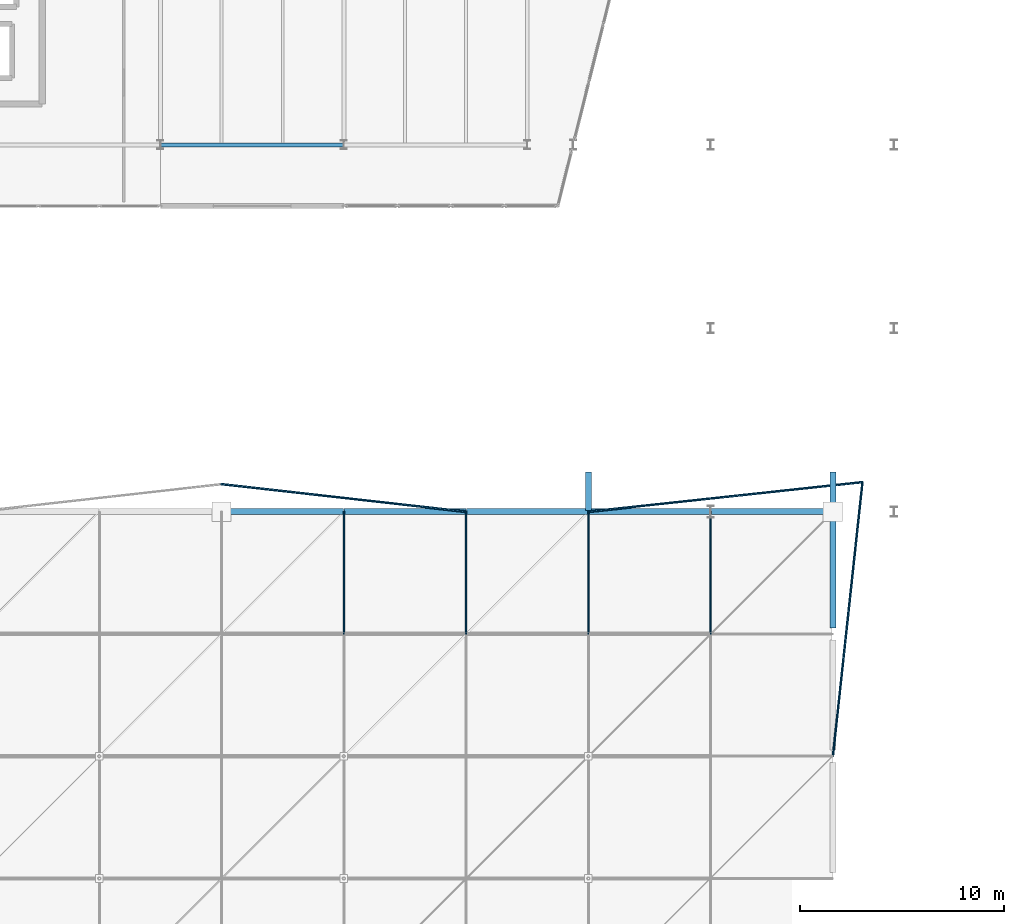
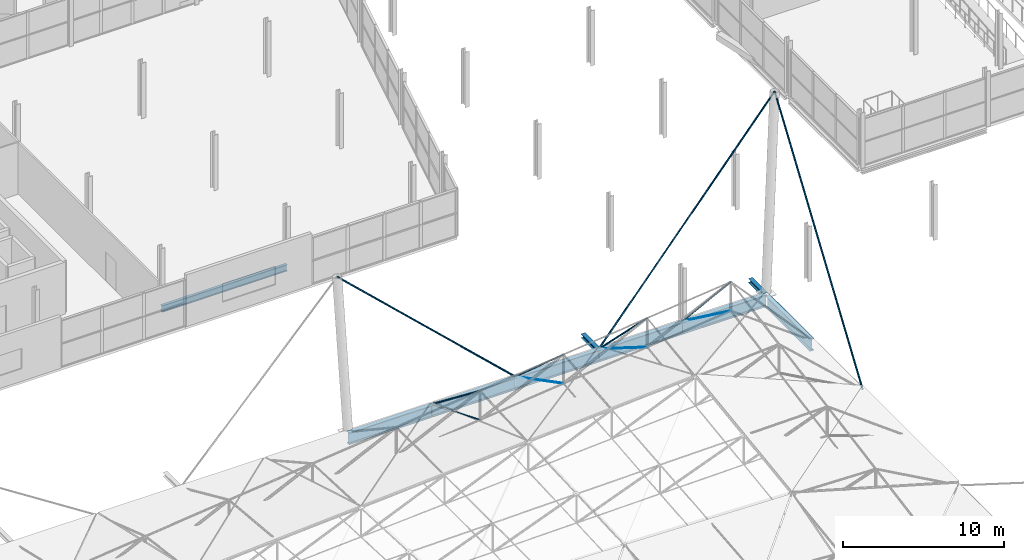
# One storey, part 47 of 132: 11 members, 9 beams.
"""IFC4 building model written with IfcOpenShell, lengths in metres."""

from ifc_helpers import new_model, si_unit, direction, frame, origin, origin_2d, place, context, subcontext, project, spatial, circle, i_section, extrude, material, material_profile, profile_set, type_object, element, save


model = new_model("IFC4")

# Units and contexts
model_context = context("Model", 3, precision=1e-05, world=origin(), true_north=direction((0.0, 1.0)))
body_context = subcontext(model_context, "Body", "Model", "MODEL_VIEW")
ifc_project = project(units=[si_unit("LENGTHUNIT", "METRE"), si_unit("AREAUNIT", "SQUARE_METRE"), si_unit("VOLUMEUNIT", "CUBIC_METRE"), si_unit("PLANEANGLEUNIT", "RADIAN"), si_unit("MASSUNIT", "GRAM", prefix="KILO")], contexts=[model_context])

# Site, building, storey
site_placement = place(None, origin())
site = spatial("IfcSite", under=ifc_project, at=site_placement, CompositionType="ELEMENT")
building_placement = place(site_placement, origin())
building = spatial("IfcBuilding", under=site, at=building_placement, Name="Deido Ridge Mobility Hub", CompositionType="ELEMENT")
storey_placement = place(building_placement, frame((0.0, 0.0, 8.39990234375)))
storey = spatial("IfcBuildingStorey", under=building, at=storey_placement, Name="L02", CompositionType="ELEMENT", Elevation=8.39990234375)

# Beams
ifc_material_1 = material(Name="Steel S355J2 EN 10025-2", Category="steel")
ifc_material_profile_1 = material_profile(ifc_material_1, i_section(OverallWidth=0.199951171875, OverallDepth=0.5, WebThickness=0.01025390625, FlangeThickness=0.01611328125, FilletRadius=0.02099609375, at=origin_2d()), Name="IPE 500")
ifc_profile_set_1 = profile_set([ifc_material_profile_1], Name="Steel S355J2 EN 10025-2")
beam_type_1 = type_object("IfcBeamType", Name="BM-IPE500", PredefinedType="BEAM", material=ifc_profile_set_1)
beam_1_placement = place(storey_placement, frame((27.007080078125, 54.0, -0.5048828125), z_axis=(1.0, 0.0, 0.0), x_axis=(0.0, 1.0, 0.0)))
element("IfcBeam", 1, at=beam_1_placement, inside=storey, type_object=beam_type_1, Name="Floor beam B3", PredefinedType="BEAM", context=body_context, shape_type="SweptSolid", body=[
    extrude(i_section(OverallWidth=0.199951171875, OverallDepth=0.5, WebThickness=0.01025390625, FlangeThickness=0.01611328125, FilletRadius=0.02099609375, at=origin_2d()), origin(), (0.0, 0.0, 1.0), 8.98583984375),
])
ifc_material_profile_2 = material_profile(ifc_material_1, i_section(OverallWidth=0.300048828125, OverallDepth=0.89990234375, WebThickness=0.0185546875, FlangeThickness=0.034912109375, FilletRadius=0.027099609375, at=origin_2d()), Name="HEB 900")
ifc_profile_set_2 = profile_set([ifc_material_profile_2], Name="Steel S355J2 EN 10025-2")
beam_type_2 = type_object("IfcBeamType", Name="BM-RING-HEB900", PredefinedType="USERDEFINED", material=ifc_profile_set_2)
beam_2_placement = place(storey_placement, frame((30.014892578125, 36.0, -0.449951171875), z_axis=(1.0, 0.0, 0.0), x_axis=(0.0, 1.0, 0.0)))
element("IfcBeam", 2, at=beam_2_placement, inside=storey, type_object=beam_type_2, Name="Compression ring beam RB1", ObjectType="RING BEAM", PredefinedType="USERDEFINED", context=body_context, shape_type="SweptSolid", body=[
    extrude(i_section(OverallWidth=0.300048828125, OverallDepth=0.89990234375, WebThickness=0.0185546875, FlangeThickness=0.034912109375, FilletRadius=0.027099609375, at=origin_2d()), origin(), (0.0, 0.0, 1.0), 5.97705078125),
])
for number, where, z_axis, x_axis, name in (
    (3, (36.008056640625, 36.0, -0.449951171875), (1.0, 0.0, 0.0), (0.0, 1.0, 0.0), "Compression ring beam RB1"),
    (4, (42.008056640625, 36.0, -0.449951171875), (1.0, 0.0, 0.0), (0.0, 1.0, 0.0), "Compression ring beam RB1"),
    (5, (48.008056640625, 36.0, -0.449951171875), (1.0, 0.0, 0.0), (0.0, 1.0, 0.0), "Compression ring beam RB1"),
):
    element("IfcBeam", number, at=place(storey_placement, frame(where, z_axis=z_axis, x_axis=x_axis)), inside=storey, type_object=beam_type_2, Name=name, ObjectType="RING BEAM", PredefinedType="USERDEFINED", context=body_context, shape_type="SweptSolid", body=[
        extrude(i_section(OverallWidth=0.300048828125, OverallDepth=0.89990234375, WebThickness=0.0185546875, FlangeThickness=0.034912109375, FilletRadius=0.027099609375, at=origin_2d()), origin(), (0.0, 0.0, 1.0), 5.98388671875),
    ])
beam_3_placement = place(storey_placement, frame((54.008056640625, 36.0, -0.449951171875), z_axis=(1.0, 0.0, 0.0), x_axis=(0.0, 1.0, 0.0)))
element("IfcBeam", 6, at=beam_3_placement, inside=storey, type_object=beam_type_2, Name="Compression ring beam RB1", ObjectType="RING BEAM", PredefinedType="USERDEFINED", context=body_context, shape_type="SweptSolid", body=[
    extrude(i_section(OverallWidth=0.300048828125, OverallDepth=0.89990234375, WebThickness=0.0185546875, FlangeThickness=0.034912109375, FilletRadius=0.027099609375, at=origin_2d()), origin(), (0.0, 0.0, 1.0), 5.97705078125),
])
beam_4_placement = place(storey_placement, frame((60.0, 30.300048828125, -0.449951171875), z_axis=(0.0, 1.0, 0.0), x_axis=(-1.0, 0.0, 0.0)))
element("IfcBeam", 7, at=beam_4_placement, inside=storey, type_object=beam_type_2, Name="Compression ring beam RB1", ObjectType="RING BEAM", PredefinedType="USERDEFINED", context=body_context, shape_type="SweptSolid", body=[
    extrude(i_section(OverallWidth=0.300048828125, OverallDepth=0.89990234375, WebThickness=0.0185546875, FlangeThickness=0.034912109375, FilletRadius=0.027099609375, at=origin_2d()), origin(), (0.0, 0.0, 1.0), 5.5),
])

# Members
ifc_material_2 = material(Name="Steel S460M EN 10025-4", Category="steel")
ifc_material_profile_3 = material_profile(ifc_material_2, circle(Radius=0.030029296875, at=origin_2d()), Name="CABLE D60")
ifc_profile_set_3 = profile_set([ifc_material_profile_3], Name="Steel S460M EN 10025-4")
member_type_1 = type_object("IfcMemberType", Name="MEM-CBL-D60", PredefinedType="USERDEFINED", material=ifc_profile_set_3)
member_1_placement = place(storey_placement, frame((36.0, 30.0, 2.456787109375), z_axis=(0.0, 0.9254257442, -0.378929006506), x_axis=(-1.0, 0.0, 0.0)))
element("IfcMember", 8, at=member_1_placement, inside=storey, type_object=member_type_1, Name="Saddle transverse valley cable CB3", ObjectType="TENSION CABLE", PredefinedType="USERDEFINED", context=body_context, shape_type="SweptSolid", body=[
    extrude(circle(Radius=0.030029296875, at=origin_2d()), origin(), (0.0, 0.0, 1.0), 6.4833984375),
])
member_2_placement = place(storey_placement, frame((42.0, 30.0, 3.11328125), z_axis=(0.0, 0.88762330107, -0.460570163381), x_axis=(-1.0, 0.0, 0.0)))
element("IfcMember", 9, at=member_2_placement, inside=storey, type_object=member_type_1, Name="Saddle transverse valley cable CB3", ObjectType="TENSION CABLE", PredefinedType="USERDEFINED", context=body_context, shape_type="SweptSolid", body=[
    extrude(circle(Radius=0.030029296875, at=origin_2d()), origin(), (0.0, 0.0, 1.0), 6.759521484375),
])
member_3_placement = place(storey_placement, frame((48.0, 30.0, 3.77001953125), z_axis=(0.0, 0.846726128083, -0.532029006749), x_axis=(-1.0, 0.0, 0.0)))
element("IfcMember", 10, at=member_3_placement, inside=storey, type_object=member_type_1, Name="Saddle transverse valley cable CB3", ObjectType="TENSION CABLE", PredefinedType="USERDEFINED", context=body_context, shape_type="SweptSolid", body=[
    extrude(circle(Radius=0.030029296875, at=origin_2d()), origin(), (0.0, 0.0, 1.0), 7.086181640625),
])
member_4_placement = place(storey_placement, frame((54.0, 30.0, 4.4267578125), z_axis=(0.0, 0.804690280558, -0.593694831017), x_axis=(-1.0, 0.0, 0.0)))
element("IfcMember", 11, at=member_4_placement, inside=storey, type_object=member_type_1, Name="Saddle transverse valley cable CB3", ObjectType="TENSION CABLE", PredefinedType="USERDEFINED", context=body_context, shape_type="SweptSolid", body=[
    extrude(circle(Radius=0.030029296875, at=origin_2d()), origin(), (0.0, 0.0, 1.0), 7.456298828125),
])
ifc_material_profile_4 = material_profile(ifc_material_2, circle(Radius=0.0380859375, at=origin_2d()), Name="CABLE D76")
ifc_profile_set_4 = profile_set([ifc_material_profile_4], Name="Steel S460M EN 10025-4")
member_type_2 = type_object("IfcMemberType", Name="MEM-CBL-D76", PredefinedType="USERDEFINED", material=ifc_profile_set_4)
member_5_placement = place(storey_placement, frame((36.0, 30.0, 4.65673828125), z_axis=(0.0, 0.789985292726, -0.613125792377), x_axis=(-1.0, 0.0, 0.0)))
element("IfcMember", 12, at=member_5_placement, inside=storey, type_object=member_type_2, Name="Saddle transverse ridge cable CB2", ObjectType="TENSION CABLE", PredefinedType="USERDEFINED", context=body_context, shape_type="SweptSolid", body=[
    extrude(circle(Radius=0.0380859375, at=origin_2d()), origin(), (0.0, 0.0, 1.0), 7.594970703125),
])
member_6_placement = place(storey_placement, frame((42.0, 30.0, 5.3134765625), z_axis=(0.0, 0.748638288723, -0.66297866682), x_axis=(-1.0, 0.0, 0.0)))
element("IfcMember", 13, at=member_6_placement, inside=storey, type_object=member_type_2, Name="Saddle transverse ridge cable CB2", ObjectType="TENSION CABLE", PredefinedType="USERDEFINED", context=body_context, shape_type="SweptSolid", body=[
    extrude(circle(Radius=0.0380859375, at=origin_2d()), origin(), (0.0, 0.0, 1.0), 8.0146484375),
])
member_7_placement = place(storey_placement, frame((48.0, 30.0, 5.97021484375), z_axis=(0.0, 0.708864061072, -0.705345123269), x_axis=(-1.0, 0.0, 0.0)))
element("IfcMember", 14, at=member_7_placement, inside=storey, type_object=member_type_2, Name="Saddle transverse ridge cable CB2", ObjectType="TENSION CABLE", PredefinedType="USERDEFINED", context=body_context, shape_type="SweptSolid", body=[
    extrude(circle(Radius=0.0380859375, at=origin_2d()), origin(), (0.0, 0.0, 1.0), 8.46435546875),
])
member_8_placement = place(storey_placement, frame((54.0, 30.0, 6.626708984375), z_axis=(0.0, 0.671184307513, -0.741290513462), x_axis=(-1.0, 0.0, 0.0)))
element("IfcMember", 15, at=member_8_placement, inside=storey, type_object=member_type_2, Name="Saddle transverse ridge cable CB2", ObjectType="TENSION CABLE", PredefinedType="USERDEFINED", context=body_context, shape_type="SweptSolid", body=[
    extrude(circle(Radius=0.0380859375, at=origin_2d()), origin(), (0.0, 0.0, 1.0), 8.939453125),
])
ifc_material_profile_5 = material_profile(ifc_material_2, circle(Radius=0.047607421875, at=origin_2d()), Name="CABLE D95")
ifc_profile_set_5 = profile_set([ifc_material_profile_5], Name="Steel S460M EN 10025-4")
member_type_3 = type_object("IfcMemberType", Name="MEM-CBL-D95", PredefinedType="USERDEFINED", material=ifc_profile_set_5)
for number, where, z_axis, x_axis, name in (
    (16, (61.449951171875, 37.449951171875, 13.9501953125), (-0.692146624108, -0.074615795694, -0.717889638989), (0.107182436689, -0.994239370205, 0.0), "Mast M3 stay cable CB1"),
    (17, (61.449951171875, 37.449951171875, 13.9501953125), (-0.074615795694, -0.692146624108, -0.717889638989), (0.994239370205, -0.107182436689, 0.0), "Mast M3 stay cable CB1"),
):
    element("IfcMember", number, at=place(storey_placement, frame(where, z_axis=z_axis, x_axis=x_axis)), inside=storey, type_object=member_type_3, Name=name, ObjectType="TENSION CABLE", PredefinedType="USERDEFINED", context=body_context, shape_type="SweptSolid", body=[
        extrude(circle(Radius=0.047607421875, at=origin_2d()), origin(), (0.0, 0.0, 1.0), 19.43212890625),
    ])
member_9_placement = place(storey_placement, frame((30.0, 37.35009765625, 10.9501953125), z_axis=(0.736141543271, -0.082821914353, -0.671741139706), x_axis=(0.111802758991, 0.99373041771, 0.0)))
element("IfcMember", 18, at=member_9_placement, inside=storey, type_object=member_type_3, Name="Mast M6 stay cable CB1", ObjectType="TENSION CABLE", PredefinedType="USERDEFINED", context=body_context, shape_type="SweptSolid", body=[
    extrude(circle(Radius=0.047607421875, at=origin_2d()), origin(), (0.0, 0.0, 1.0), 16.30126953125),
])

# Beams
ifc_material_profile_6 = material_profile(ifc_material_1, i_section(OverallWidth=0.300048828125, OverallDepth=0.300048828125, WebThickness=0.010986328125, FlangeThickness=0.01904296875, FilletRadius=0.027099609375, at=origin_2d()), Name="HEB 300")
ifc_profile_set_6 = profile_set([ifc_material_profile_6], Name="Steel S355J2 EN 10025-2")
beam_type_3 = type_object("IfcBeamType", Name="SPD-HEB300", PredefinedType="SPANDREL", material=ifc_profile_set_6)
for number, where, z_axis, x_axis, name in (
    (19, (48.0, 36.050048828125, -0.14990234375), (0.0, 1.0, 0.0), (-1.0, 0.0, 0.0), "Exoskeleton outrigger beam SP1"),
    (20, (60.0, 36.050048828125, -0.14990234375), (0.0, 1.0, 0.0), (-1.0, 0.0, 0.0), "Exoskeleton outrigger beam SP1"),
):
    element("IfcBeam", number, at=place(storey_placement, frame(where, z_axis=z_axis, x_axis=x_axis)), inside=storey, type_object=beam_type_3, Name=name, PredefinedType="SPANDREL", context=body_context, shape_type="SweptSolid", body=[
        extrude(i_section(OverallWidth=0.300048828125, OverallDepth=0.300048828125, WebThickness=0.010986328125, FlangeThickness=0.01904296875, FilletRadius=0.027099609375, at=origin_2d()), origin(), (0.0, 0.0, 1.0), 1.89990234375),
    ])

save(model, "model.ifc")
